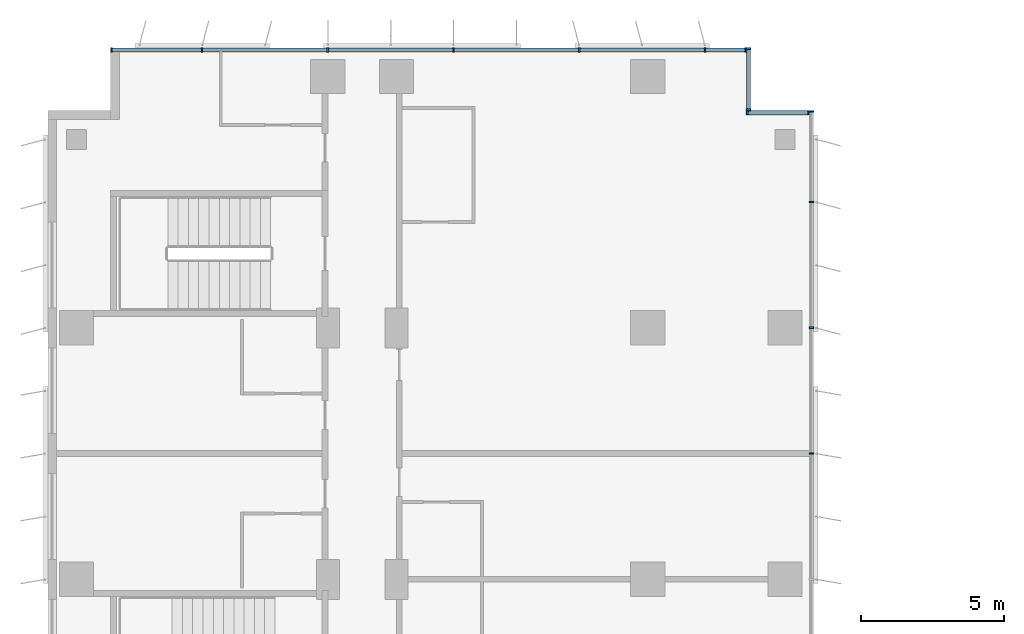
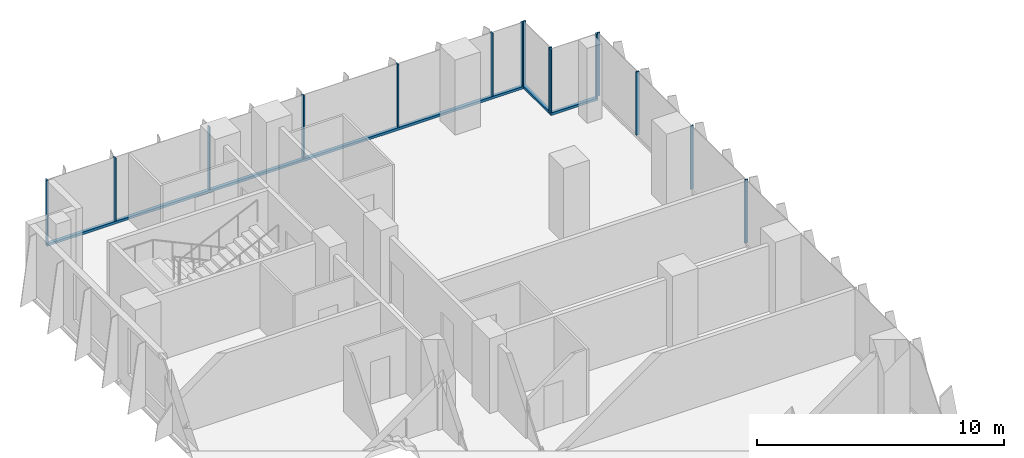
# One storey, part 9 of 22: 18 members, 4 elements without a shape of their own.
"""IFC4 building model written with IfcOpenShell, lengths in metres."""

from ifc_helpers import new_model, si_unit, direction, frame, origin, origin_2d, place, context, subcontext, project, spatial, rectangle, extrude, source, transform, mapped, material, material_profile, profile_set, type_object, element, aggregate, save


model = new_model("IFC4")

# Units and contexts
model_context = context("Model", 3, precision=1e-05, world=origin(), true_north=direction((0.0, 1.0)))
body_context = subcontext(model_context, "Body", "Model", "MODEL_VIEW")
ifc_project = project(units=[si_unit("LENGTHUNIT", "METRE"), si_unit("AREAUNIT", "SQUARE_METRE"), si_unit("VOLUMEUNIT", "CUBIC_METRE"), si_unit("PLANEANGLEUNIT", "RADIAN"), si_unit("MASSUNIT", "GRAM", prefix="KILO")], contexts=[model_context])

# Site, building, storey
site_placement = place(None, origin())
site = spatial("IfcSite", under=ifc_project, at=site_placement, CompositionType="ELEMENT")
building_placement = place(site_placement, origin())
building = spatial("IfcBuilding", under=site, at=building_placement, Name="Kemantara Hotel Tower", CompositionType="ELEMENT")
storey_placement = place(building_placement, frame((0.0, 0.0, 129.60009765625)))
storey = spatial("IfcBuildingStorey", under=building, at=storey_placement, Name="L31", CompositionType="ELEMENT", Elevation=129.60009765625)

# Curtain wall, member
ifc_material_1 = material(Name="Low-E tinted double insulated glass 36 mm", Category="glass")
curtain_wall_type = type_object("IfcCurtainWallType", Name="TOWER CURTAIN WALL, FRONT FACES", PredefinedType="USERDEFINED", material=ifc_material_1)
curtain_wall_1_placement = place(storey_placement, origin())
curtain_wall_1 = element("IfcCurtainWall", 1, at=curtain_wall_1_placement, inside=storey, type_object=curtain_wall_type, Name="CW4 L31 T2-R01-1", ObjectType="TOWER CURTAIN WALL, FRONT FACES", PredefinedType="USERDEFINED")
ifc_material_2 = material(Name="Aluminium 6063-T6 bronze anodised", Category="aluminium")
ifc_material_profile_1 = material_profile(ifc_material_2, rectangle(XDim=0.14990234375, YDim=0.1201171875, at=origin_2d()), Name="TOWER CURTAIN WALL, FRONT FACES TRANSOM")
ifc_profile_set_1 = profile_set([ifc_material_profile_1], Name="Aluminium 6063-T6 bronze anodised")
member_type_1 = type_object("IfcMemberType", Name="TOWER CURTAIN WALL, FRONT FACES TRANSOM", PredefinedType="USERDEFINED", material=ifc_profile_set_1)
member_1_placement = place(storey_placement, frame((24.449951171875, 81.125, 0.059814453125), z_axis=(-1.0, 0.0, 0.0), x_axis=(0.0, -1.0, 0.0)))
member_1 = element("IfcMember", 2, at=member_1_placement, type_object=member_type_1, Name="CW4 sill transom T2-R01-1", ObjectType="TRANSOM", PredefinedType="USERDEFINED", context=body_context, shape_type="SweptSolid", body=[
    extrude(rectangle(XDim=0.14990234375, YDim=0.1201171875, at=origin_2d()), origin(), (0.0, 0.0, 1.0), 22.25),
])

curtain_wall_2_placement = place(storey_placement, origin())
curtain_wall_2 = element("IfcCurtainWall", 3, at=curtain_wall_2_placement, inside=storey, type_object=curtain_wall_type, Name="CW4 L31 T2-R00-1", ObjectType="TOWER CURTAIN WALL, FRONT FACES", PredefinedType="USERDEFINED")
member_2_placement = place(storey_placement, frame((24.52490234375, 79.0, 0.059814453125), z_axis=(0.0, 1.0, 0.0), x_axis=(-1.0, 0.0, 0.0)))
member_2 = element("IfcMember", 4, at=member_2_placement, type_object=member_type_1, Name="CW4 sill transom T2-R00-1", ObjectType="TRANSOM", PredefinedType="USERDEFINED", context=body_context, shape_type="SweptSolid", body=[
    extrude(rectangle(XDim=0.14990234375, YDim=0.1201171875, at=origin_2d()), origin(), (0.0, 0.0, 1.0), 2.199951171875),
])

curtain_wall_3_placement = place(storey_placement, origin())
curtain_wall_3 = element("IfcCurtainWall", 5, at=curtain_wall_3_placement, inside=storey, type_object=curtain_wall_type, Name="CW4 L31 T2-R15-1", ObjectType="TOWER CURTAIN WALL, FRONT FACES", PredefinedType="USERDEFINED")
member_3_placement = place(storey_placement, frame((26.64990234375, 78.925048828125, 0.059814453125), z_axis=(-1.0, 0.0, 0.0), x_axis=(0.0, -1.0, 0.0)))
member_3 = element("IfcMember", 6, at=member_3_placement, type_object=member_type_1, Name="CW4 sill transom T2-R15-1", ObjectType="TRANSOM", PredefinedType="USERDEFINED", context=body_context, shape_type="SweptSolid", body=[
    extrude(rectangle(XDim=0.14990234375, YDim=0.1201171875, at=origin_2d()), origin(), (0.0, 0.0, 1.0), 2.199951171875),
])

# Member
ifc_material_profile_2 = material_profile(ifc_material_2, rectangle(XDim=0.14990234375, YDim=0.06005859375, at=origin_2d()), Name="TOWER CURTAIN WALL, FRONT FACES MULLION")
ifc_profile_set_2 = profile_set([ifc_material_profile_2], Name="Aluminium 6063-T6 bronze anodised")
member_type_2 = type_object("IfcMemberType", Name="TOWER CURTAIN WALL, FRONT FACES MULLION", PredefinedType="MULLION", material=ifc_profile_set_2)
shared_shape = source(origin(), body_context, "Body", "SweptSolid", [
    extrude(rectangle(XDim=0.14990234375, YDim=0.06005859375, at=origin_2d()), origin(), (0.0, 0.0, 1.0), 3.130126953125),
])
member_4_placement = place(storey_placement, frame((24.419921875, 81.125, 0.119873046875), z_axis=(0.0, 0.0, 1.0), x_axis=(0.0, -1.0, 0.0)))
member_4 = element("IfcMember", 7, at=member_4_placement, type_object=member_type_2, Name="CW4 mullion T2-R01-1.1", PredefinedType="MULLION", context=body_context, shape_type="MappedRepresentation", body=[
    mapped(shared_shape, transform((0.0, 0.0, 0.0))),
])

member_5_placement = place(storey_placement, frame((23.0, 81.125, 0.119873046875), z_axis=(0.0, 0.0, 1.0), x_axis=(0.0, -1.0, 0.0)))
member_5 = element("IfcMember", 8, at=member_5_placement, type_object=member_type_2, Name="CW4 mullion T2-R01-1.2", PredefinedType="MULLION", context=body_context, shape_type="MappedRepresentation", body=[
    mapped(shared_shape, transform((0.0, 0.0, 0.0))),
])

member_6_placement = place(storey_placement, frame((18.60009765625, 81.125, 0.119873046875), z_axis=(0.0, 0.0, 1.0), x_axis=(0.0, -1.0, 0.0)))
member_6 = element("IfcMember", 9, at=member_6_placement, type_object=member_type_2, Name="CW4 mullion T2-R01-1.3", PredefinedType="MULLION", context=body_context, shape_type="MappedRepresentation", body=[
    mapped(shared_shape, transform((0.0, 0.0, 0.0))),
])

member_7_placement = place(storey_placement, frame((14.199951171875, 81.125, 0.119873046875), z_axis=(0.0, 0.0, 1.0), x_axis=(0.0, -1.0, 0.0)))
member_7 = element("IfcMember", 10, at=member_7_placement, type_object=member_type_2, Name="CW4 mullion T2-R01-1.4", PredefinedType="MULLION", context=body_context, shape_type="MappedRepresentation", body=[
    mapped(shared_shape, transform((0.0, 0.0, 0.0))),
])

member_8_placement = place(storey_placement, frame((9.800048828125, 81.125, 0.119873046875), z_axis=(0.0, 0.0, 1.0), x_axis=(0.0, -1.0, 0.0)))
member_8 = element("IfcMember", 11, at=member_8_placement, type_object=member_type_2, Name="CW4 mullion T2-R01-1.5", PredefinedType="MULLION", context=body_context, shape_type="MappedRepresentation", body=[
    mapped(shared_shape, transform((0.0, 0.0, 0.0))),
])

member_9_placement = place(storey_placement, frame((5.39990234375, 81.125, 0.119873046875), z_axis=(0.0, 0.0, 1.0), x_axis=(0.0, -1.0, 0.0)))
member_9 = element("IfcMember", 12, at=member_9_placement, type_object=member_type_2, Name="CW4 mullion T2-R01-1.6", PredefinedType="MULLION", context=body_context, shape_type="MappedRepresentation", body=[
    mapped(shared_shape, transform((0.0, 0.0, 0.0))),
])

member_10_placement = place(storey_placement, frame((2.22998046875, 81.125, 0.119873046875), z_axis=(0.0, 0.0, 1.0), x_axis=(0.0, -1.0, 0.0)))
member_10 = element("IfcMember", 13, at=member_10_placement, type_object=member_type_2, Name="CW4 mullion T2-R01-1.7", PredefinedType="MULLION", context=body_context, shape_type="MappedRepresentation", body=[
    mapped(shared_shape, transform((0.0, 0.0, 0.0))),
])

aggregate(curtain_wall_1, [member_1, member_4, member_5, member_6, member_7, member_8, member_9, member_10])

# Curtain wall, members
curtain_wall_4_placement = place(storey_placement, origin())
curtain_wall_4 = element("IfcCurtainWall", 14, at=curtain_wall_4_placement, inside=storey, type_object=curtain_wall_type, Name="CW4 L31 T2-R14-1", ObjectType="TOWER CURTAIN WALL, FRONT FACES", PredefinedType="USERDEFINED")
member_11_placement = place(storey_placement, frame((26.72509765625, 67.0, 0.119873046875), z_axis=(0.0, 0.0, 1.0), x_axis=(-1.0, 0.0, 0.0)))
member_11 = element("IfcMember", 15, at=member_11_placement, type_object=member_type_2, Name="CW4 mullion T2-R14-1.12", PredefinedType="MULLION", context=body_context, shape_type="MappedRepresentation", body=[
    mapped(shared_shape, transform((0.0, 0.0, 0.0))),
])
member_12_placement = place(storey_placement, frame((26.72509765625, 71.39990234375, 0.119873046875), z_axis=(0.0, 0.0, 1.0), x_axis=(-1.0, 0.0, 0.0)))
member_12 = element("IfcMember", 16, at=member_12_placement, type_object=member_type_2, Name="CW4 mullion T2-R14-1.13", PredefinedType="MULLION", context=body_context, shape_type="MappedRepresentation", body=[
    mapped(shared_shape, transform((0.0, 0.0, 0.0))),
])
member_13_placement = place(storey_placement, frame((26.72509765625, 75.800048828125, 0.119873046875), z_axis=(0.0, 0.0, 1.0), x_axis=(-1.0, 0.0, 0.0)))
member_13 = element("IfcMember", 17, at=member_13_placement, type_object=member_type_2, Name="CW4 mullion T2-R14-1.14", PredefinedType="MULLION", context=body_context, shape_type="MappedRepresentation", body=[
    mapped(shared_shape, transform((0.0, 0.0, 0.0))),
])
member_14_placement = place(storey_placement, frame((26.72509765625, 78.969970703125, 0.119873046875), z_axis=(0.0, 0.0, 1.0), x_axis=(-1.0, 0.0, 0.0)))
member_14 = element("IfcMember", 18, at=member_14_placement, type_object=member_type_2, Name="CW4 mullion T2-R14-1.15", PredefinedType="MULLION", context=body_context, shape_type="MappedRepresentation", body=[
    mapped(shared_shape, transform((0.0, 0.0, 0.0))),
])
aggregate(curtain_wall_4, [member_11, member_12, member_13, member_14])

# Member
member_15_placement = place(storey_placement, frame((24.52490234375, 79.030029296875, 0.119873046875), z_axis=(0.0, 0.0, 1.0), x_axis=(-1.0, 0.0, 0.0)))
member_15 = element("IfcMember", 19, at=member_15_placement, type_object=member_type_2, Name="CW4 mullion T2-R00-1.1", PredefinedType="MULLION", context=body_context, shape_type="MappedRepresentation", body=[
    mapped(shared_shape, transform((0.0, 0.0, 0.0))),
])

member_16_placement = place(storey_placement, frame((24.52490234375, 81.169921875, 0.119873046875), z_axis=(0.0, 0.0, 1.0), x_axis=(-1.0, 0.0, 0.0)))
member_16 = element("IfcMember", 20, at=member_16_placement, type_object=member_type_2, Name="CW4 mullion T2-R00-1.2", PredefinedType="MULLION", context=body_context, shape_type="MappedRepresentation", body=[
    mapped(shared_shape, transform((0.0, 0.0, 0.0))),
])

aggregate(curtain_wall_2, [member_2, member_15, member_16])

member_17_placement = place(storey_placement, frame((26.6201171875, 78.925048828125, 0.119873046875), z_axis=(0.0, 0.0, 1.0), x_axis=(0.0, -1.0, 0.0)))
member_17 = element("IfcMember", 21, at=member_17_placement, type_object=member_type_2, Name="CW4 mullion T2-R15-1.1", PredefinedType="MULLION", context=body_context, shape_type="MappedRepresentation", body=[
    mapped(shared_shape, transform((0.0, 0.0, 0.0))),
])

member_18_placement = place(storey_placement, frame((24.47998046875, 78.925048828125, 0.119873046875), z_axis=(0.0, 0.0, 1.0), x_axis=(0.0, -1.0, 0.0)))
member_18 = element("IfcMember", 22, at=member_18_placement, type_object=member_type_2, Name="CW4 mullion T2-R15-1.2", PredefinedType="MULLION", context=body_context, shape_type="MappedRepresentation", body=[
    mapped(shared_shape, transform((0.0, 0.0, 0.0))),
])

aggregate(curtain_wall_3, [member_3, member_17, member_18])

save(model, "model.ifc")
